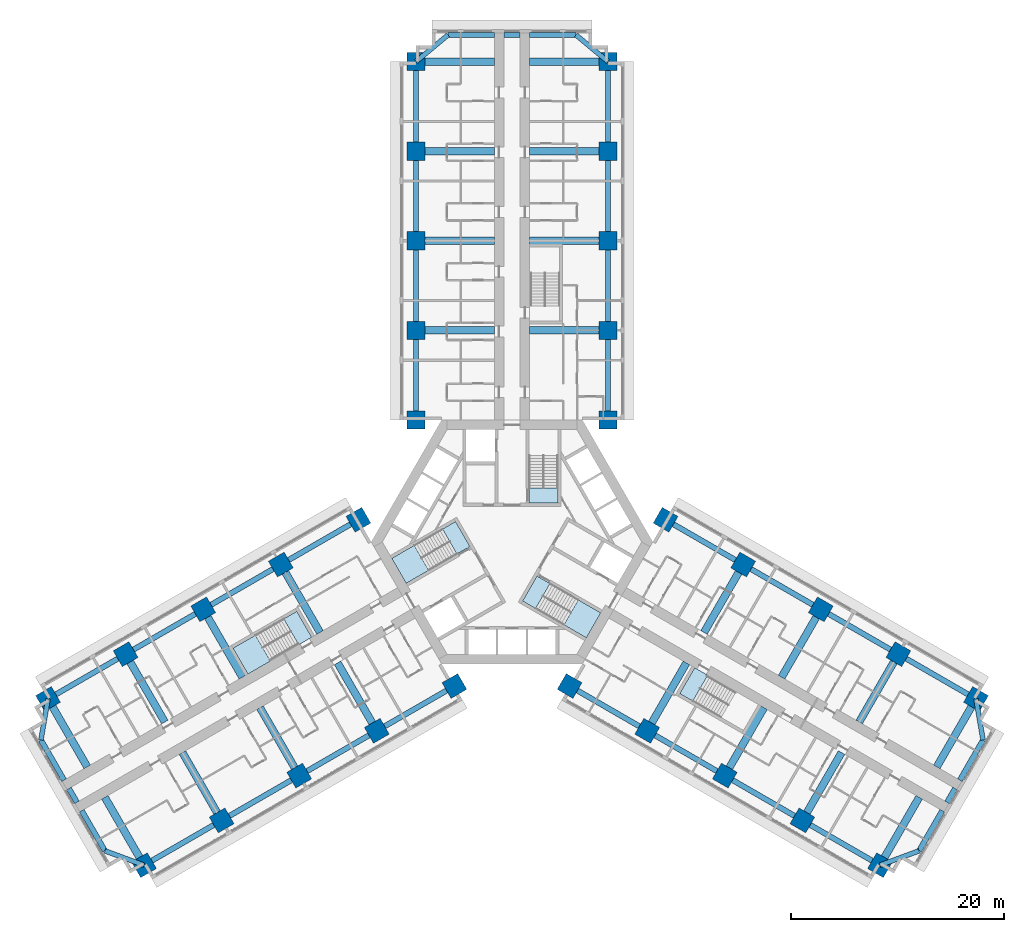
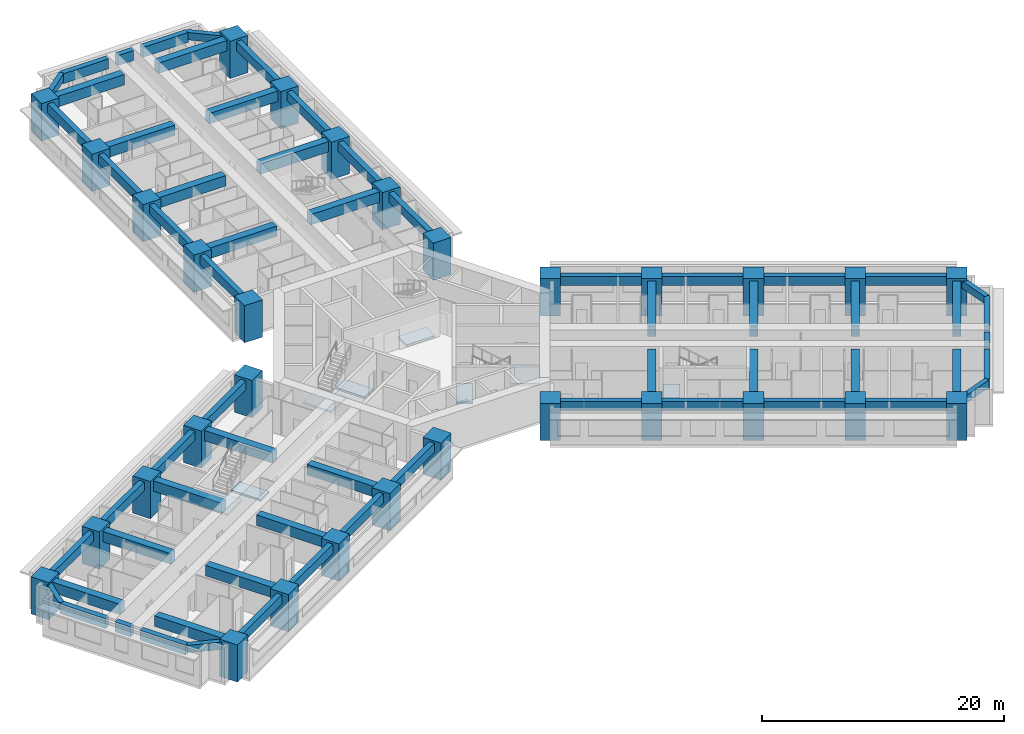
# One storey, part 1 of 17: 63 beams, 30 columns, 8 slabs, 5 elements without a shape of their own.
"""IFC4 building model written with IfcOpenShell, lengths in metres."""

from ifc_helpers import new_model, si_unit, direction, frame, origin, origin_2d, place, context, subcontext, project, spatial, polyline, rectangle, outline, extrude, material, layer, layer_set, material_profile, profile_set, type_object, element, aggregate, save


model = new_model("IFC4")

# Units and contexts
model_context = context("Model", 3, precision=1e-05, world=origin(), true_north=direction((0.0, 1.0)))
body_context = subcontext(model_context, "Body", "Model", "MODEL_VIEW")
ifc_project = project(units=[si_unit("LENGTHUNIT", "METRE"), si_unit("AREAUNIT", "SQUARE_METRE"), si_unit("VOLUMEUNIT", "CUBIC_METRE"), si_unit("PLANEANGLEUNIT", "RADIAN"), si_unit("MASSUNIT", "GRAM", prefix="KILO")], contexts=[model_context])

# Site, building, storey
site_placement = place(None, origin())
site = spatial("IfcSite", under=ifc_project, at=site_placement, CompositionType="ELEMENT")
building_placement = place(site_placement, origin())
building = spatial("IfcBuilding", under=site, at=building_placement, Name="Impinga Residences", CompositionType="ELEMENT")
storey_placement = place(building_placement, frame((0.0, 0.0, 29.75)))
storey = spatial("IfcBuildingStorey", under=building, at=storey_placement, Name="L06", CompositionType="ELEMENT", Elevation=29.75)

# Columns
ifc_material_1 = material(Name="Concrete C70/85", Category="concrete")
ifc_material_profile_1 = material_profile(ifc_material_1, rectangle(XDim=1.699951171875, YDim=1.699951171875, at=origin_2d()), Name="RC 1700x1700")
ifc_profile_set_1 = profile_set([ifc_material_profile_1], Name="Concrete C70/85")
column_type = type_object("IfcColumnType", Name="C10 1700x1700 column", PredefinedType="COLUMN", material=ifc_profile_set_1)
for number, where, z_axis, x_axis, name in (
    (1, (-9.0, 11.431640625, 0.0), (0.0, 0.0, 1.0), (1.0, 0.0, 0.0), "Column C10 N1/NA L06"),
    (2, (9.0, 11.431640625, 0.0), (0.0, 0.0, 1.0), (1.0, 0.0, 0.0), "Column C10 N1/NF L06"),
    (3, (-9.0, 19.83154296875, 0.0), (0.0, 0.0, 1.0), (1.0, 0.0, 0.0), "Column C10 N2/NA L06"),
    (4, (9.0, 19.83154296875, 0.0), (0.0, 0.0, 1.0), (1.0, 0.0, 0.0), "Column C10 N2/NF L06"),
    (5, (-9.0, 28.2314453125, 0.0), (0.0, 0.0, 1.0), (1.0, 0.0, 0.0), "Column C10 N3/NA L06"),
    (6, (9.0, 28.2314453125, 0.0), (0.0, 0.0, 1.0), (1.0, 0.0, 0.0), "Column C10 N3/NF L06"),
    (7, (-9.0, 36.631591796875, 0.0), (0.0, 0.0, 1.0), (1.0, 0.0, 0.0), "Column C10 N4/NA L06"),
    (8, (9.0, 36.631591796875, 0.0), (0.0, 0.0, 1.0), (1.0, 0.0, 0.0), "Column C10 N4/NF L06"),
    (9, (-9.0, 45.031494140625, 0.0), (0.0, 0.0, 1.0), (1.0, 0.0, 0.0), "Column C10 N5/NA L06"),
    (10, (9.0, 45.031494140625, 0.0), (0.0, 0.0, 1.0), (1.0, 0.0, 0.0), "Column C10 N5/NF L06"),
    (11, (-5.39990234375, -13.510009765625, 0.0), (0.0, 0.0, 1.0), (-0.5, 0.866025403784, 0.0), "Column C10 W1/WA L06"),
    (12, (-14.39990234375, 2.078369140625, 0.0), (0.0, 0.0, 1.0), (-0.5, 0.866025403784, 0.0), "Column C10 W1/WF L06"),
    (13, (-12.674560546875, -17.7099609375, 0.0), (0.0, 0.0, 1.0), (-0.5, 0.866025403784, 0.0), "Column C10 W2/WA L06"),
    (14, (-21.674560546875, -2.12158203125, 0.0), (0.0, 0.0, 1.0), (-0.5, 0.866025403784, 0.0), "Column C10 W2/WF L06"),
    (15, (-19.94921875, -21.909912109375, 0.0), (0.0, 0.0, 1.0), (-0.5, 0.866025403784, 0.0), "Column C10 W3/WA L06"),
    (16, (-28.94921875, -6.321533203125, 0.0), (0.0, 0.0, 1.0), (-0.5, 0.866025403784, 0.0), "Column C10 W3/WF L06"),
    (17, (-27.223876953125, -26.110107421875, 0.0), (0.0, 0.0, 1.0), (-0.5, 0.866025403784, 0.0), "Column C10 W4/WA L06"),
    (18, (-36.223876953125, -10.521484375, 0.0), (0.0, 0.0, 1.0), (-0.5, 0.866025403784, 0.0), "Column C10 W4/WF L06"),
    (19, (-34.49853515625, -30.31005859375, 0.0), (0.0, 0.0, 1.0), (-0.5, 0.866025403784, 0.0), "Column C10 W5/WA L06"),
    (20, (-43.49853515625, -14.721435546875, 0.0), (0.0, 0.0, 1.0), (-0.5, 0.866025403784, 0.0), "Column C10 W5/WF L06"),
    (21, (14.39990234375, 2.078369140625, 0.0), (0.0, 0.0, 1.0), (-0.5, -0.866025403784, 0.0), "Column C10 E1/EA L06"),
    (22, (5.39990234375, -13.510009765625, 0.0), (0.0, 0.0, 1.0), (-0.5, -0.866025403784, 0.0), "Column C10 E1/EF L06"),
    (23, (21.674560546875, -2.12158203125, 0.0), (0.0, 0.0, 1.0), (-0.5, -0.866025403784, 0.0), "Column C10 E2/EA L06"),
    (24, (12.674560546875, -17.7099609375, 0.0), (0.0, 0.0, 1.0), (-0.5, -0.866025403784, 0.0), "Column C10 E2/EF L06"),
    (25, (28.94921875, -6.321533203125, 0.0), (0.0, 0.0, 1.0), (-0.5, -0.866025403784, 0.0), "Column C10 E3/EA L06"),
    (26, (19.94921875, -21.909912109375, 0.0), (0.0, 0.0, 1.0), (-0.5, -0.866025403784, 0.0), "Column C10 E3/EF L06"),
    (27, (36.223876953125, -10.521484375, 0.0), (0.0, 0.0, 1.0), (-0.5, -0.866025403784, 0.0), "Column C10 E4/EA L06"),
    (28, (27.223876953125, -26.110107421875, 0.0), (0.0, 0.0, 1.0), (-0.5, -0.866025403784, 0.0), "Column C10 E4/EF L06"),
    (29, (43.49853515625, -14.721435546875, 0.0), (0.0, 0.0, 1.0), (-0.5, -0.866025403784, 0.0), "Column C10 E5/EA L06"),
    (30, (34.49853515625, -30.31005859375, 0.0), (0.0, 0.0, 1.0), (-0.5, -0.866025403784, 0.0), "Column C10 E5/EF L06"),
):
    element("IfcColumn", number, at=place(storey_placement, frame(where, z_axis=z_axis, x_axis=x_axis)), inside=storey, type_object=column_type, Name=name, PredefinedType="COLUMN", context=body_context, shape_type="SweptSolid", body=[
        extrude(rectangle(XDim=1.699951171875, YDim=1.699951171875, at=origin_2d()), origin(), (0.0, 0.0, 1.0), 3.75),
    ])

# Beams
ifc_material_2 = material(Name="Concrete C60/75", Category="concrete")
ifc_material_profile_2 = material_profile(ifc_material_2, rectangle(XDim=0.449951171875, YDim=0.75, at=origin_2d()), Name="RC 450x750")
ifc_profile_set_2 = profile_set([ifc_material_profile_2], Name="Concrete C60/75")
beam_type_1 = type_object("IfcBeamType", Name="CB1 450x750 wing end cantilever beam", PredefinedType="BEAM", material=ifc_profile_set_2)
for number, where, z_axis, x_axis, name in (
    (31, (-9.0, 45.031494140625, 3.155029296875), (0.768221279597, 0.640184399664, 0.0), (-0.640184399664, 0.768221279597, 0.0), "Beam CB1 NB N5-NX level L07"),
    (32, (9.0, 45.031494140625, 3.155029296875), (-0.768221279597, 0.640184399664, 0.0), (-0.640184399664, -0.768221279597, 0.0), "Beam CB1 NE N5-NX level L07"),
    (33, (-34.49853515625, -30.31005859375, 3.155029296875), (-0.938520178725, 0.345224382289, 0.0), (-0.345224382289, -0.938520178725, 0.0), "Beam CB1 WB W5-WX level L07"),
):
    element("IfcBeam", number, at=place(storey_placement, frame(where, z_axis=z_axis, x_axis=x_axis)), inside=storey, type_object=beam_type_1, Name=name, PredefinedType="BEAM", context=body_context, shape_type="SweptSolid", body=[
        extrude(rectangle(XDim=0.449951171875, YDim=0.75, at=origin_2d()), origin(), (0.0, 0.0, 1.0), 3.905029296875),
    ])
for number, where, z_axis, x_axis, name in (
    (34, (-43.49853515625, -14.721435546875, 3.155029296875), (-0.170296298948, -0.985392901621, 0.0), (0.985392901621, -0.170296298948, 0.0), "Beam CB1 WE W5-WX level L07"),
    (35, (43.49853515625, -14.721435546875, 3.155029296875), (0.170296298948, -0.985392901621, 0.0), (0.985392901621, 0.170296298948, 0.0), "Beam CB1 EB E5-EX level L07"),
):
    element("IfcBeam", number, at=place(storey_placement, frame(where, z_axis=z_axis, x_axis=x_axis)), inside=storey, type_object=beam_type_1, Name=name, PredefinedType="BEAM", context=body_context, shape_type="SweptSolid", body=[
        extrude(rectangle(XDim=0.449951171875, YDim=0.75, at=origin_2d()), origin(), (0.0, 0.0, 1.0), 3.9052734375),
    ])
beam_1_placement = place(storey_placement, frame((34.49853515625, -30.31005859375, 3.155029296875), z_axis=(0.938520178725, 0.345224382289, 0.0), x_axis=(-0.345224382289, 0.938520178725, 0.0)))
element("IfcBeam", 36, at=beam_1_placement, inside=storey, type_object=beam_type_1, Name="Beam CB1 EE E5-EX level L07", PredefinedType="BEAM", context=body_context, shape_type="SweptSolid", body=[
    extrude(rectangle(XDim=0.449951171875, YDim=0.75, at=origin_2d()), origin(), (0.0, 0.0, 1.0), 3.905029296875),
])
ifc_material_profile_3 = material_profile(ifc_material_2, rectangle(XDim=0.699951171875, YDim=1.050048828125, at=origin_2d()), Name="RC 700x1050")
ifc_profile_set_3 = profile_set([ifc_material_profile_3], Name="Concrete C60/75")
beam_type_2 = type_object("IfcBeamType", Name="CG1 700x1050 cross girder on a wing bay line", PredefinedType="BEAM", material=ifc_profile_set_3)
for number, where, z_axis, x_axis, name in (
    (37, (-1.64990234375, 19.83154296875, 3.0048828125), (-1.0, 0.0, 0.0), (0.0, -1.0, 0.0), "Beam CG1 N2 NC/NA level L07"),
    (38, (-1.64990234375, 28.2314453125, 3.0048828125), (-1.0, 0.0, 0.0), (0.0, -1.0, 0.0), "Beam CG1 N3 NC/NA level L07"),
    (39, (-1.64990234375, 36.631591796875, 3.0048828125), (-1.0, 0.0, 0.0), (0.0, -1.0, 0.0), "Beam CG1 N4 NC/NA level L07"),
    (40, (-1.64990234375, 45.031494140625, 3.0048828125), (-1.0, 0.0, 0.0), (0.0, -1.0, 0.0), "Beam CG1 N5 NC/NA level L07"),
    (41, (1.64990234375, 19.83154296875, 3.0048828125), (1.0, 0.0, 0.0), (0.0, 1.0, 0.0), "Beam CG1 N2 NC/NF level L07"),
    (42, (1.64990234375, 28.2314453125, 3.0048828125), (1.0, 0.0, 0.0), (0.0, 1.0, 0.0), "Beam CG1 N3 NC/NF level L07"),
    (43, (1.64990234375, 36.631591796875, 3.0048828125), (1.0, 0.0, 0.0), (0.0, 1.0, 0.0), "Beam CG1 N4 NC/NF level L07"),
    (44, (1.64990234375, 45.031494140625, 3.0048828125), (1.0, 0.0, 0.0), (0.0, 1.0, 0.0), "Beam CG1 N5 NC/NF level L07"),
    (45, (-16.349609375, -11.3447265625, 3.0048828125), (0.500008066151, -0.86602074674, 0.0), (0.86602074674, 0.500008066151, 0.0), "Beam CG1 W2 WC/WA level L07"),
    (46, (-23.624267578125, -15.544677734375, 3.0048828125), (0.500008066151, -0.86602074674, 0.0), (0.86602074674, 0.500008066151, 0.0), "Beam CG1 W3 WC/WA level L07"),
    (47, (-30.89892578125, -19.74462890625, 3.0048828125), (0.499993683172, -0.866029050776, 0.0), (0.866029050776, 0.499993683172, 0.0), "Beam CG1 W4 WC/WA level L07"),
):
    element("IfcBeam", number, at=place(storey_placement, frame(where, z_axis=z_axis, x_axis=x_axis)), inside=storey, type_object=beam_type_2, Name=name, PredefinedType="BEAM", context=body_context, shape_type="SweptSolid", body=[
        extrude(rectangle(XDim=0.699951171875, YDim=1.050048828125, at=origin_2d()), origin(), (0.0, 0.0, 1.0), 7.35009765625),
    ])
beam_2_placement = place(storey_placement, frame((-38.17333984375, -23.94482421875, 3.0048828125), z_axis=(0.499983153418, -0.866035129944, 0.0), x_axis=(0.866035129944, 0.499983153418, 0.0)))
element("IfcBeam", 48, at=beam_2_placement, inside=storey, type_object=beam_type_2, Name="Beam CG1 W5 WC/WA level L07", PredefinedType="BEAM", context=body_context, shape_type="SweptSolid", body=[
    extrude(rectangle(XDim=0.699951171875, YDim=1.050048828125, at=origin_2d()), origin(), (0.0, 0.0, 1.0), 7.349853515625),
])
for number, where, z_axis, x_axis, name in (
    (49, (-17.99951171875, -8.48681640625, 3.0048828125), (-0.500008066151, 0.86602074674, 0.0), (-0.86602074674, -0.500008066151, 0.0), "Beam CG1 W2 WC/WF level L07"),
    (50, (-25.274169921875, -12.686767578125, 3.0048828125), (-0.500008066151, 0.86602074674, 0.0), (-0.86602074674, -0.500008066151, 0.0), "Beam CG1 W3 WC/WF level L07"),
    (51, (-32.548828125, -16.88671875, 3.0048828125), (-0.500008066151, 0.86602074674, 0.0), (-0.86602074674, -0.500008066151, 0.0), "Beam CG1 W4 WC/WF level L07"),
    (52, (-39.823486328125, -21.0869140625, 3.0048828125), (-0.499993683172, 0.866029050776, 0.0), (-0.866029050776, -0.499993683172, 0.0), "Beam CG1 W5 WC/WF level L07"),
    (53, (17.99951171875, -8.48681640625, 3.0048828125), (0.500008066151, 0.86602074674, 0.0), (-0.86602074674, 0.500008066151, 0.0), "Beam CG1 E2 EC/EA level L07"),
    (54, (25.274169921875, -12.686767578125, 3.0048828125), (0.500008066151, 0.86602074674, 0.0), (-0.86602074674, 0.500008066151, 0.0), "Beam CG1 E3 EC/EA level L07"),
    (55, (32.548828125, -16.88671875, 3.0048828125), (0.500008066151, 0.86602074674, 0.0), (-0.86602074674, 0.500008066151, 0.0), "Beam CG1 E4 EC/EA level L07"),
    (56, (39.823486328125, -21.0869140625, 3.0048828125), (0.499993683172, 0.866029050776, 0.0), (-0.866029050776, 0.499993683172, 0.0), "Beam CG1 E5 EC/EA level L07"),
    (57, (16.349609375, -11.3447265625, 3.0048828125), (-0.500008066151, -0.86602074674, 0.0), (0.86602074674, -0.500008066151, 0.0), "Beam CG1 E2 EC/EF level L07"),
    (58, (23.624267578125, -15.544677734375, 3.0048828125), (-0.500008066151, -0.86602074674, 0.0), (0.86602074674, -0.500008066151, 0.0), "Beam CG1 E3 EC/EF level L07"),
    (59, (30.89892578125, -19.74462890625, 3.0048828125), (-0.499993683172, -0.866029050776, 0.0), (0.866029050776, -0.499993683172, 0.0), "Beam CG1 E4 EC/EF level L07"),
):
    element("IfcBeam", number, at=place(storey_placement, frame(where, z_axis=z_axis, x_axis=x_axis)), inside=storey, type_object=beam_type_2, Name=name, PredefinedType="BEAM", context=body_context, shape_type="SweptSolid", body=[
        extrude(rectangle(XDim=0.699951171875, YDim=1.050048828125, at=origin_2d()), origin(), (0.0, 0.0, 1.0), 7.35009765625),
    ])
beam_3_placement = place(storey_placement, frame((38.17333984375, -23.94482421875, 3.0048828125), z_axis=(-0.499983153418, -0.866035129944, 0.0), x_axis=(0.866035129944, -0.499983153418, 0.0)))
element("IfcBeam", 60, at=beam_3_placement, inside=storey, type_object=beam_type_2, Name="Beam CG1 E5 EC/EF level L07", PredefinedType="BEAM", context=body_context, shape_type="SweptSolid", body=[
    extrude(rectangle(XDim=0.699951171875, YDim=1.050048828125, at=origin_2d()), origin(), (0.0, 0.0, 1.0), 7.349853515625),
])
ifc_material_profile_4 = material_profile(ifc_material_2, rectangle(XDim=0.5, YDim=1.0, at=origin_2d()), Name="RC 500x1000")
ifc_profile_set_4 = profile_set([ifc_material_profile_4], Name="Concrete C60/75")
beam_type_3 = type_object("IfcBeamType", Name="EB1 500x1000 wing end beam", PredefinedType="BEAM", material=ifc_profile_set_4)
beam_4_placement = place(storey_placement, frame((-6.0, 47.531494140625, 3.030029296875), z_axis=(1.0, 0.0, 0.0), x_axis=(0.0, 1.0, 0.0)))
element("IfcBeam", 61, at=beam_4_placement, inside=storey, type_object=beam_type_3, Name="Beam EB1 NX4 level L07", PredefinedType="BEAM", context=body_context, shape_type="SweptSolid", body=[
    extrude(rectangle(XDim=0.5, YDim=1.0, at=origin_2d()), origin(), (0.0, 0.0, 1.0), 4.35009765625),
])
beam_5_placement = place(storey_placement, frame((-0.75, 47.531494140625, 3.030029296875), z_axis=(1.0, 0.0, 0.0), x_axis=(0.0, 1.0, 0.0)))
element("IfcBeam", 62, at=beam_5_placement, inside=storey, type_object=beam_type_3, Name="Beam EB1 NX4 level L07", PredefinedType="BEAM", context=body_context, shape_type="SweptSolid", body=[
    extrude(rectangle(XDim=0.5, YDim=1.0, at=origin_2d()), origin(), (0.0, 0.0, 1.0), 1.5),
])
beam_6_placement = place(storey_placement, frame((1.64990234375, 47.531494140625, 3.030029296875), z_axis=(1.0, 0.0, 0.0), x_axis=(0.0, 1.0, 0.0)))
element("IfcBeam", 63, at=beam_6_placement, inside=storey, type_object=beam_type_3, Name="Beam EB1 NX4 level L07", PredefinedType="BEAM", context=body_context, shape_type="SweptSolid", body=[
    extrude(rectangle(XDim=0.5, YDim=1.0, at=origin_2d()), origin(), (0.0, 0.0, 1.0), 4.35009765625),
])
beam_7_placement = place(storey_placement, frame((-38.16357421875, -28.9619140625, 3.030029296875), z_axis=(-0.500020430026, 0.866013608182, 0.0), x_axis=(-0.866013608182, -0.500020430026, 0.0)))
element("IfcBeam", 64, at=beam_7_placement, inside=storey, type_object=beam_type_3, Name="Beam EB1 WX4 level L07", PredefinedType="BEAM", context=body_context, shape_type="SweptSolid", body=[
    extrude(rectangle(XDim=0.5, YDim=1.0, at=origin_2d()), origin(), (0.0, 0.0, 1.0), 4.349853515625),
])
beam_8_placement = place(storey_placement, frame((-40.78857421875, -24.415283203125, 3.030029296875), z_axis=(-0.499990139034, 0.866031096941, 0.0), x_axis=(-0.866031096941, -0.499990139034, 0.0)))
element("IfcBeam", 65, at=beam_8_placement, inside=storey, type_object=beam_type_3, Name="Beam EB1 WX4 level L07", PredefinedType="BEAM", context=body_context, shape_type="SweptSolid", body=[
    extrude(rectangle(XDim=0.5, YDim=1.0, at=origin_2d()), origin(), (0.0, 0.0, 1.0), 1.5),
])
for number, where, z_axis, x_axis, name in (
    (66, (-41.988525390625, -22.3369140625, 3.030029296875), (-0.499996127374, 0.866027639635, 0.0), (-0.866027639635, -0.499996127374, 0.0), "Beam EB1 WX4 level L07"),
    (67, (44.16357421875, -18.569580078125, 3.030029296875), (-0.499996127374, -0.866027639635, 0.0), (0.866027639635, -0.499996127374, 0.0), "Beam EB1 EX4 level L07"),
):
    element("IfcBeam", number, at=place(storey_placement, frame(where, z_axis=z_axis, x_axis=x_axis)), inside=storey, type_object=beam_type_3, Name=name, PredefinedType="BEAM", context=body_context, shape_type="SweptSolid", body=[
        extrude(rectangle(XDim=0.5, YDim=1.0, at=origin_2d()), origin(), (0.0, 0.0, 1.0), 4.35009765625),
    ])
beam_9_placement = place(storey_placement, frame((41.53857421875, -23.1162109375, 3.030029296875), z_axis=(-0.499990139034, -0.866031096941, 0.0), x_axis=(0.866031096941, -0.499990139034, 0.0)))
element("IfcBeam", 68, at=beam_9_placement, inside=storey, type_object=beam_type_3, Name="Beam EB1 EX4 level L07", PredefinedType="BEAM", context=body_context, shape_type="SweptSolid", body=[
    extrude(rectangle(XDim=0.5, YDim=1.0, at=origin_2d()), origin(), (0.0, 0.0, 1.0), 1.5),
])
beam_10_placement = place(storey_placement, frame((40.338623046875, -25.19482421875, 3.030029296875), z_axis=(-0.500020430026, -0.866013608182, 0.0), x_axis=(0.866013608182, -0.500020430026, 0.0)))
element("IfcBeam", 69, at=beam_10_placement, inside=storey, type_object=beam_type_3, Name="Beam EB1 EX4 level L07", PredefinedType="BEAM", context=body_context, shape_type="SweptSolid", body=[
    extrude(rectangle(XDim=0.5, YDim=1.0, at=origin_2d()), origin(), (0.0, 0.0, 1.0), 4.349853515625),
])
ifc_material_profile_5 = material_profile(ifc_material_2, rectangle(XDim=0.5, YDim=0.89990234375, at=origin_2d()), Name="RC 500x900")
ifc_profile_set_5 = profile_set([ifc_material_profile_5], Name="Concrete C60/75")
beam_type_4 = type_object("IfcBeamType", Name="SB1 500x900 perimeter spandrel beam", PredefinedType="SPANDREL", material=ifc_profile_set_5)
for number, where, z_axis, x_axis, name in (
    (70, (-9.0, 11.431640625, 3.080078125), (0.0, 1.0, 0.0), (-1.0, 0.0, 0.0), "Beam SB1 NA N1-N2 level L07"),
    (71, (-9.0, 19.83154296875, 3.080078125), (0.0, 1.0, 0.0), (-1.0, 0.0, 0.0), "Beam SB1 NA N2-N3 level L07"),
):
    element("IfcBeam", number, at=place(storey_placement, frame(where, z_axis=z_axis, x_axis=x_axis)), inside=storey, type_object=beam_type_4, Name=name, PredefinedType="SPANDREL", context=body_context, shape_type="SweptSolid", body=[
        extrude(rectangle(XDim=0.5, YDim=0.89990234375, at=origin_2d()), origin(), (0.0, 0.0, 1.0), 8.39990234375),
    ])
beam_11_placement = place(storey_placement, frame((-9.0, 28.2314453125, 3.080078125), z_axis=(0.0, 1.0, 0.0), x_axis=(-1.0, 0.0, 0.0)))
element("IfcBeam", 72, at=beam_11_placement, inside=storey, type_object=beam_type_4, Name="Beam SB1 NA N3-N4 level L07", PredefinedType="SPANDREL", context=body_context, shape_type="SweptSolid", body=[
    extrude(rectangle(XDim=0.5, YDim=0.89990234375, at=origin_2d()), origin(), (0.0, 0.0, 1.0), 8.400146484375),
])
for number, where, z_axis, x_axis, name in (
    (73, (-9.0, 36.631591796875, 3.080078125), (0.0, 1.0, 0.0), (-1.0, 0.0, 0.0), "Beam SB1 NA N4-N5 level L07"),
    (74, (9.0, 11.431640625, 3.080078125), (0.0, 1.0, 0.0), (-1.0, 0.0, 0.0), "Beam SB1 NF N1-N2 level L07"),
    (75, (9.0, 19.83154296875, 3.080078125), (0.0, 1.0, 0.0), (-1.0, 0.0, 0.0), "Beam SB1 NF N2-N3 level L07"),
):
    element("IfcBeam", number, at=place(storey_placement, frame(where, z_axis=z_axis, x_axis=x_axis)), inside=storey, type_object=beam_type_4, Name=name, PredefinedType="SPANDREL", context=body_context, shape_type="SweptSolid", body=[
        extrude(rectangle(XDim=0.5, YDim=0.89990234375, at=origin_2d()), origin(), (0.0, 0.0, 1.0), 8.39990234375),
    ])
beam_12_placement = place(storey_placement, frame((9.0, 28.2314453125, 3.080078125), z_axis=(0.0, 1.0, 0.0), x_axis=(-1.0, 0.0, 0.0)))
element("IfcBeam", 76, at=beam_12_placement, inside=storey, type_object=beam_type_4, Name="Beam SB1 NF N3-N4 level L07", PredefinedType="SPANDREL", context=body_context, shape_type="SweptSolid", body=[
    extrude(rectangle(XDim=0.5, YDim=0.89990234375, at=origin_2d()), origin(), (0.0, 0.0, 1.0), 8.400146484375),
])
for number, where, z_axis, x_axis, name in (
    (77, (9.0, 36.631591796875, 3.080078125), (0.0, 1.0, 0.0), (-1.0, 0.0, 0.0), "Beam SB1 NF N4-N5 level L07"),
    (78, (-5.39990234375, -13.510009765625, 3.080078125), (-0.86602925447, -0.499993330357, 0.0), (0.499993330357, -0.86602925447, 0.0), "Beam SB1 WA W1-W2 level L07"),
    (79, (-12.674560546875, -17.7099609375, 3.080078125), (-0.86602925447, -0.499993330357, 0.0), (0.499993330357, -0.86602925447, 0.0), "Beam SB1 WA W2-W3 level L07"),
):
    element("IfcBeam", number, at=place(storey_placement, frame(where, z_axis=z_axis, x_axis=x_axis)), inside=storey, type_object=beam_type_4, Name=name, PredefinedType="SPANDREL", context=body_context, shape_type="SweptSolid", body=[
        extrude(rectangle(XDim=0.5, YDim=0.89990234375, at=origin_2d()), origin(), (0.0, 0.0, 1.0), 8.39990234375),
    ])
beam_13_placement = place(storey_placement, frame((-19.94921875, -21.909912109375, 3.080078125), z_axis=(-0.866016669275, -0.500015128309, 0.0), x_axis=(0.500015128309, -0.866016669275, 0.0)))
element("IfcBeam", 80, at=beam_13_placement, inside=storey, type_object=beam_type_4, Name="Beam SB1 WA W3-W4 level L07", PredefinedType="SPANDREL", context=body_context, shape_type="SweptSolid", body=[
    extrude(rectangle(XDim=0.5, YDim=0.89990234375, at=origin_2d()), origin(), (0.0, 0.0, 1.0), 8.400146484375),
])
for number, where, z_axis, x_axis, name in (
    (81, (-27.223876953125, -26.110107421875, 3.080078125), (-0.86602925447, -0.499993330357, 0.0), (0.499993330357, -0.86602925447, 0.0), "Beam SB1 WA W4-W5 level L07"),
    (82, (-14.39990234375, 2.078369140625, 3.080078125), (-0.86602925447, -0.499993330357, 0.0), (0.499993330357, -0.86602925447, 0.0), "Beam SB1 WF W1-W2 level L07"),
    (83, (-21.674560546875, -2.12158203125, 3.080078125), (-0.86602925447, -0.499993330357, 0.0), (0.499993330357, -0.86602925447, 0.0), "Beam SB1 WF W2-W3 level L07"),
    (84, (-28.94921875, -6.321533203125, 3.080078125), (-0.86602925447, -0.499993330357, 0.0), (0.499993330357, -0.86602925447, 0.0), "Beam SB1 WF W3-W4 level L07"),
    (85, (-36.223876953125, -10.521484375, 3.080078125), (-0.86602925447, -0.499993330357, 0.0), (0.499993330357, -0.86602925447, 0.0), "Beam SB1 WF W4-W5 level L07"),
    (86, (14.39990234375, 2.078369140625, 3.080078125), (0.86602925447, -0.499993330357, 0.0), (0.499993330357, 0.86602925447, 0.0), "Beam SB1 EA E1-E2 level L07"),
    (87, (21.674560546875, -2.12158203125, 3.080078125), (0.86602925447, -0.499993330357, 0.0), (0.499993330357, 0.86602925447, 0.0), "Beam SB1 EA E2-E3 level L07"),
    (88, (28.94921875, -6.321533203125, 3.080078125), (0.86602925447, -0.499993330357, 0.0), (0.499993330357, 0.86602925447, 0.0), "Beam SB1 EA E3-E4 level L07"),
    (89, (36.223876953125, -10.521484375, 3.080078125), (0.86602925447, -0.499993330357, 0.0), (0.499993330357, 0.86602925447, 0.0), "Beam SB1 EA E4-E5 level L07"),
    (90, (5.39990234375, -13.510009765625, 3.080078125), (0.86602925447, -0.499993330357, 0.0), (0.499993330357, 0.86602925447, 0.0), "Beam SB1 EF E1-E2 level L07"),
    (91, (12.674560546875, -17.7099609375, 3.080078125), (0.86602925447, -0.499993330357, 0.0), (0.499993330357, 0.86602925447, 0.0), "Beam SB1 EF E2-E3 level L07"),
):
    element("IfcBeam", number, at=place(storey_placement, frame(where, z_axis=z_axis, x_axis=x_axis)), inside=storey, type_object=beam_type_4, Name=name, PredefinedType="SPANDREL", context=body_context, shape_type="SweptSolid", body=[
        extrude(rectangle(XDim=0.5, YDim=0.89990234375, at=origin_2d()), origin(), (0.0, 0.0, 1.0), 8.39990234375),
    ])
beam_14_placement = place(storey_placement, frame((19.94921875, -21.909912109375, 3.080078125), z_axis=(0.866016669275, -0.500015128309, 0.0), x_axis=(0.500015128309, 0.866016669275, 0.0)))
element("IfcBeam", 92, at=beam_14_placement, inside=storey, type_object=beam_type_4, Name="Beam SB1 EF E3-E4 level L07", PredefinedType="SPANDREL", context=body_context, shape_type="SweptSolid", body=[
    extrude(rectangle(XDim=0.5, YDim=0.89990234375, at=origin_2d()), origin(), (0.0, 0.0, 1.0), 8.400146484375),
])
beam_15_placement = place(storey_placement, frame((27.223876953125, -26.110107421875, 3.080078125), z_axis=(0.86602925447, -0.499993330357, 0.0), x_axis=(0.499993330357, 0.86602925447, 0.0)))
element("IfcBeam", 93, at=beam_15_placement, inside=storey, type_object=beam_type_4, Name="Beam SB1 EF E4-E5 level L07", PredefinedType="SPANDREL", context=body_context, shape_type="SweptSolid", body=[
    extrude(rectangle(XDim=0.5, YDim=0.89990234375, at=origin_2d()), origin(), (0.0, 0.0, 1.0), 8.39990234375),
])

# Stair, slab
ifc_material_3 = material(Name="Concrete C40/50", Category="concrete")
stair_type_1 = type_object("IfcStairType", Name="STR core stair 3750 storey, 24 risers", PredefinedType="HALF_TURN_STAIR", material=ifc_material_3)
stair_1_placement = place(storey_placement, origin())
stair_1 = element("IfcStair", 94, at=stair_1_placement, inside=storey, type_object=stair_type_1, Name="Stair ST1 L06", PredefinedType="HALF_TURN_STAIR")
ifc_layer = layer(ifc_material_3, 0.199951171875)
ifc_layer_set = layer_set([ifc_layer], Name="Concrete C40/50")
slab_type = type_object("IfcSlabType", Name="LS1 stair landing 200", PredefinedType="LANDING", material=ifc_layer_set)
slab_1_placement = place(storey_placement, frame((0.0, 0.0, -0.199951171875)))
slab_1 = element("IfcSlab", 95, at=slab_1_placement, type_object=slab_type, Name="ST1 landing 1", PredefinedType="LANDING", context=body_context, shape_type="SweptSolid", body=[
    extrude(outline(polyline([(1.60009765625, 3.6298828125), (4.300048828125, 3.6298828125), (4.300048828125, 5.0400390625), (1.60009765625, 5.0400390625), (1.60009765625, 3.6298828125)])), origin(), (0.0, 0.0, 1.0), 0.199951171875),
])
aggregate(stair_1, [slab_1])

# Stair, slabs
stair_2_placement = place(storey_placement, origin())
stair_2 = element("IfcStair", 96, at=stair_2_placement, inside=storey, type_object=stair_type_1, Name="Stair ST2 L06", PredefinedType="HALF_TURN_STAIR")
slab_2_placement = place(storey_placement, frame((0.0, 0.0, -0.199951171875)))
slab_2 = element("IfcSlab", 97, at=slab_2_placement, type_object=slab_type, Name="ST2 landing 1", PredefinedType="LANDING", context=body_context, shape_type="SweptSolid", body=[
    extrude(outline(polyline([(-3.943603515625, -0.429443359375), (-5.293701171875, 1.908935546875), (-6.5146484375, 1.203857421875), (-5.164794921875, -1.13427734375), (-3.943603515625, -0.429443359375)])), origin(), (0.0, 0.0, 1.0), 0.199951171875),
])
slab_3_placement = place(storey_placement, frame((0.0, 0.0, 1.675048828125)))
slab_3 = element("IfcSlab", 98, at=slab_3_placement, type_object=slab_type, Name="ST2 landing 2", PredefinedType="LANDING", context=body_context, shape_type="SweptSolid", body=[
    extrude(outline(polyline([(-7.814697265625, -2.664306640625), (-9.164794921875, -0.326171875), (-11.2705078125, -1.541748046875), (-9.920654296875, -3.880126953125), (-7.814697265625, -2.664306640625)])), origin(), (0.0, 0.0, 1.0), 0.199951171875),
])
aggregate(stair_2, [slab_2, slab_3])

stair_3_placement = place(storey_placement, origin())
stair_3 = element("IfcStair", 99, at=stair_3_placement, inside=storey, type_object=stair_type_1, Name="Stair ST3 L06", PredefinedType="HALF_TURN_STAIR")
slab_4_placement = place(storey_placement, frame((0.0, 0.0, -0.199951171875)))
slab_4 = element("IfcSlab", 100, at=slab_4_placement, type_object=slab_type, Name="ST3 landing 1", PredefinedType="LANDING", context=body_context, shape_type="SweptSolid", body=[
    extrude(outline(polyline([(2.34375, -3.20068359375), (0.99365234375, -5.538818359375), (2.21484375, -6.243896484375), (3.564697265625, -3.90576171875), (2.34375, -3.20068359375)])), origin(), (0.0, 0.0, 1.0), 0.199951171875),
])
slab_5_placement = place(storey_placement, frame((0.0, 0.0, 1.675048828125)))
slab_5 = element("IfcSlab", 101, at=slab_5_placement, type_object=slab_type, Name="ST3 landing 2", PredefinedType="LANDING", context=body_context, shape_type="SweptSolid", body=[
    extrude(outline(polyline([(6.21484375, -5.435546875), (4.86474609375, -7.77392578125), (6.970458984375, -8.98974609375), (8.320556640625, -6.6513671875), (6.21484375, -5.435546875)])), origin(), (0.0, 0.0, 1.0), 0.199951171875),
])
aggregate(stair_3, [slab_4, slab_5])

stair_type_2 = type_object("IfcStairType", Name="STR wing stair 3750 storey, 24 risers", PredefinedType="HALF_TURN_STAIR", material=ifc_material_3)
stair_4_placement = place(storey_placement, origin())
stair_4 = element("IfcStair", 102, at=stair_4_placement, inside=storey, type_object=stair_type_2, Name="Stair WS2 L06", PredefinedType="HALF_TURN_STAIR")
slab_6_placement = place(storey_placement, frame((0.0, 0.0, -0.199951171875)))
slab_6 = element("IfcSlab", 103, at=slab_6_placement, type_object=slab_type, Name="WS2 landing 1", PredefinedType="LANDING", context=body_context, shape_type="SweptSolid", body=[
    extrude(outline(polyline([(-18.779052734375, -8.936767578125), (-20.178955078125, -6.511962890625), (-21.400146484375, -7.217041015625), (-20.000244140625, -9.641845703125), (-18.779052734375, -8.936767578125)])), origin(), (0.0, 0.0, 1.0), 0.199951171875),
])
slab_7_placement = place(storey_placement, frame((0.0, 0.0, 1.675048828125)))
slab_7 = element("IfcSlab", 104, at=slab_7_placement, type_object=slab_type, Name="WS2 landing 2", PredefinedType="LANDING", context=body_context, shape_type="SweptSolid", body=[
    extrude(outline(polyline([(-22.650146484375, -11.171875), (-24.050048828125, -8.7470703125), (-26.154541015625, -9.9619140625), (-24.754638671875, -12.38671875), (-22.650146484375, -11.171875)])), origin(), (0.0, 0.0, 1.0), 0.199951171875),
])
aggregate(stair_4, [slab_6, slab_7])

# Stair, slab
stair_5_placement = place(storey_placement, origin())
stair_5 = element("IfcStair", 105, at=stair_5_placement, inside=storey, type_object=stair_type_2, Name="Stair WS3 L06", PredefinedType="HALF_TURN_STAIR")
slab_8_placement = place(storey_placement, frame((0.0, 0.0, -0.199951171875)))
slab_8 = element("IfcSlab", 106, at=slab_8_placement, type_object=slab_type, Name="WS3 landing 1", PredefinedType="LANDING", context=body_context, shape_type="SweptSolid", body=[
    extrude(outline(polyline([(17.129150390625, -11.794677734375), (15.72900390625, -14.219482421875), (16.9501953125, -14.924560546875), (18.35009765625, -12.499755859375), (17.129150390625, -11.794677734375)])), origin(), (0.0, 0.0, 1.0), 0.199951171875),
])
aggregate(stair_5, [slab_8])

save(model, "model.ifc")
